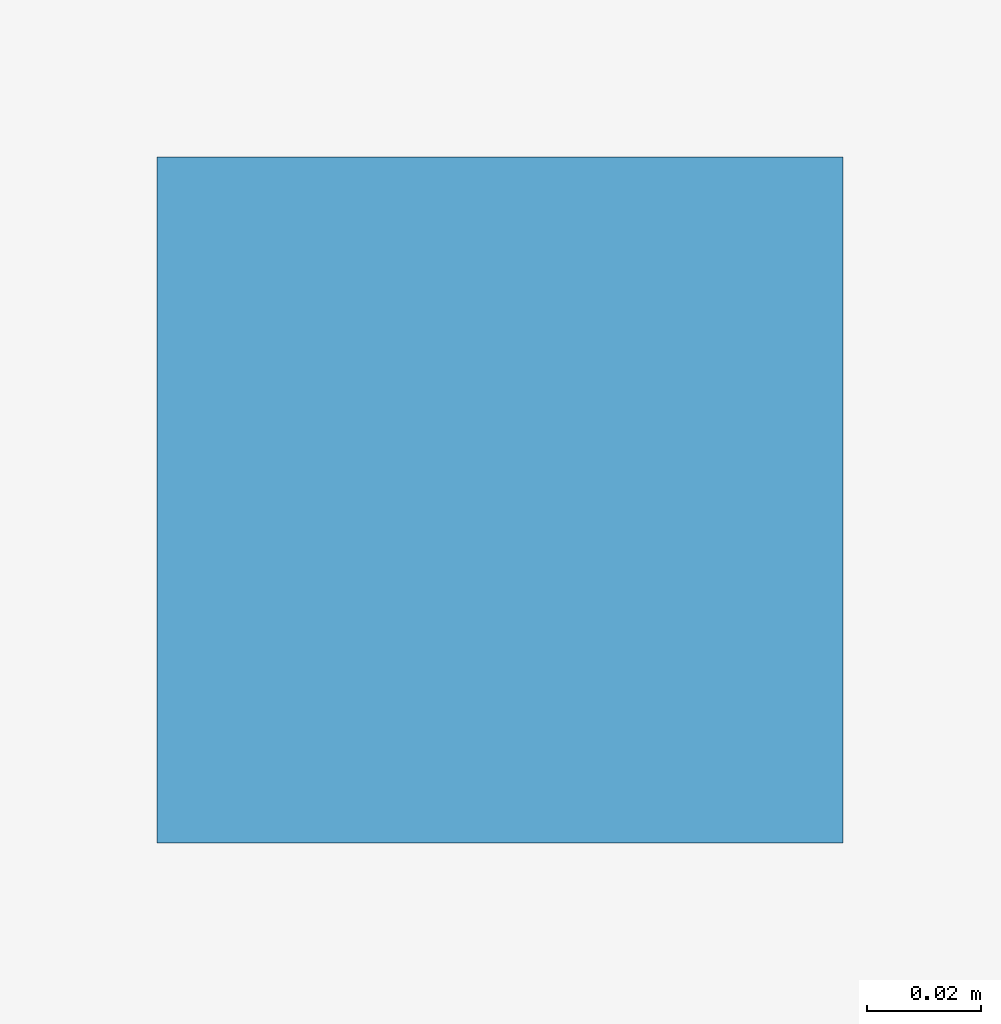
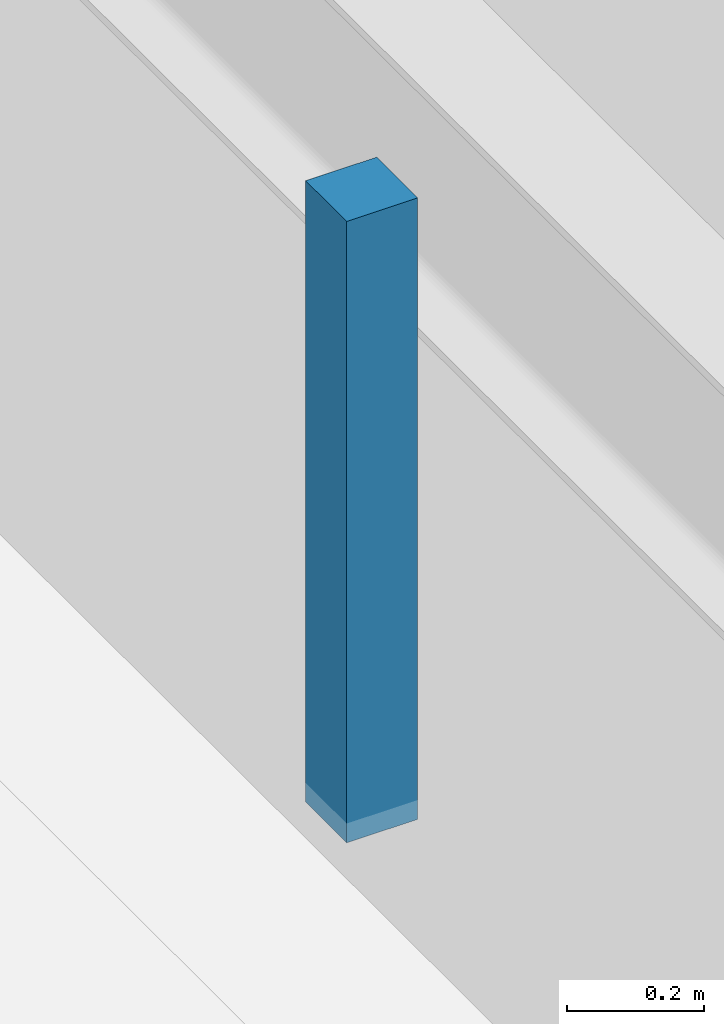
# One storey, part 61 of 103: 1 discrete accessory.
"""IFC4 building model written with IfcOpenShell, lengths in metres."""

from ifc_helpers import new_model, si_unit, direction, frame, origin, origin_2d, place, context, subcontext, project, spatial, rectangle, extrude, material, type_object, element, save


model = new_model("IFC4")

# Units and contexts
model_context = context("Model", 3, precision=1e-05, world=origin(), true_north=direction((0.0, 1.0)))
body_context = subcontext(model_context, "Body", "Model", "MODEL_VIEW")
ifc_project = project(units=[si_unit("LENGTHUNIT", "METRE"), si_unit("AREAUNIT", "SQUARE_METRE"), si_unit("VOLUMEUNIT", "CUBIC_METRE"), si_unit("PLANEANGLEUNIT", "RADIAN"), si_unit("MASSUNIT", "GRAM", prefix="KILO")], contexts=[model_context])

# Site, building, storey
site_placement = place(None, origin())
site = spatial("IfcSite", under=ifc_project, at=site_placement, CompositionType="ELEMENT")
building_placement = place(site_placement, origin())
building = spatial("IfcBuilding", under=site, at=building_placement, Name="Zlatogorsky Bluff Art Gallery", CompositionType="ELEMENT")
storey_placement = place(building_placement, origin())
storey = spatial("IfcBuildingStorey", under=building, at=storey_placement, Name="L00", CompositionType="ELEMENT", Elevation=0.0)

# Discrete accessory
ifc_material = material(Name="Steel S355", Category="steel")
discrete_accessory_type = type_object("IfcDiscreteAccessoryType", Name="Stainless Facade Fin Bracket BRK-01", PredefinedType="BRACKET", material=ifc_material)
discrete_accessory_placement = place(storey_placement, frame((3.110107421875, 92.580078125, 4.05517578125), z_axis=(0.0, 0.0, 1.0), x_axis=(1.0, 0.0, 0.0)))
element("IfcDiscreteAccessory", 1, at=discrete_accessory_placement, inside=storey, type_object=discrete_accessory_type, Name="Acoustic ceiling suspension hanger L00-F1-11", PredefinedType="BRACKET", context=body_context, shape_type="SweptSolid", body=[
    extrude(rectangle(XDim=0.1201171875, YDim=0.1201171875, at=origin_2d()), origin(), (0.0, 0.0, 1.0), 1.110107421875),
])

save(model, "model.ifc")
